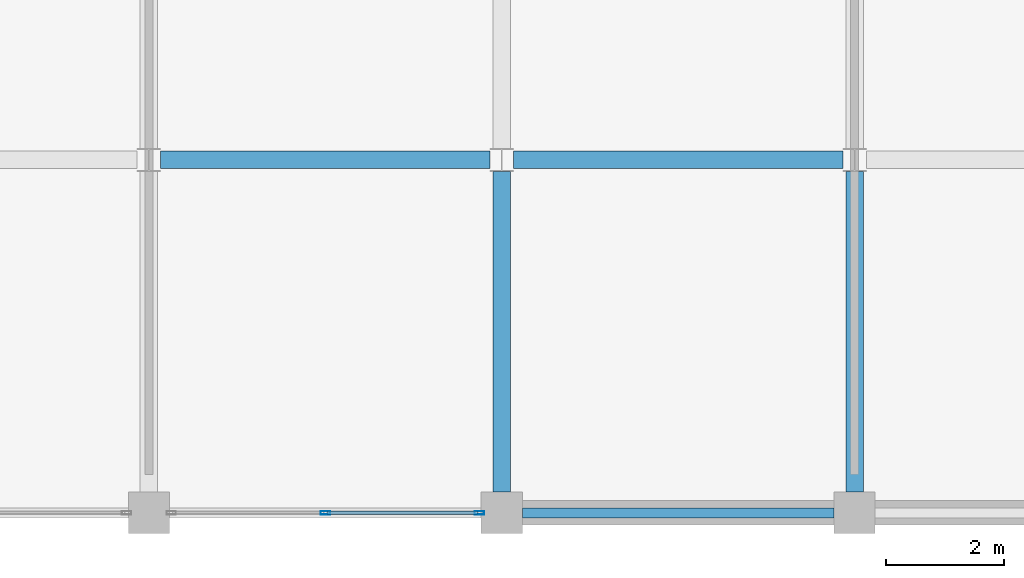
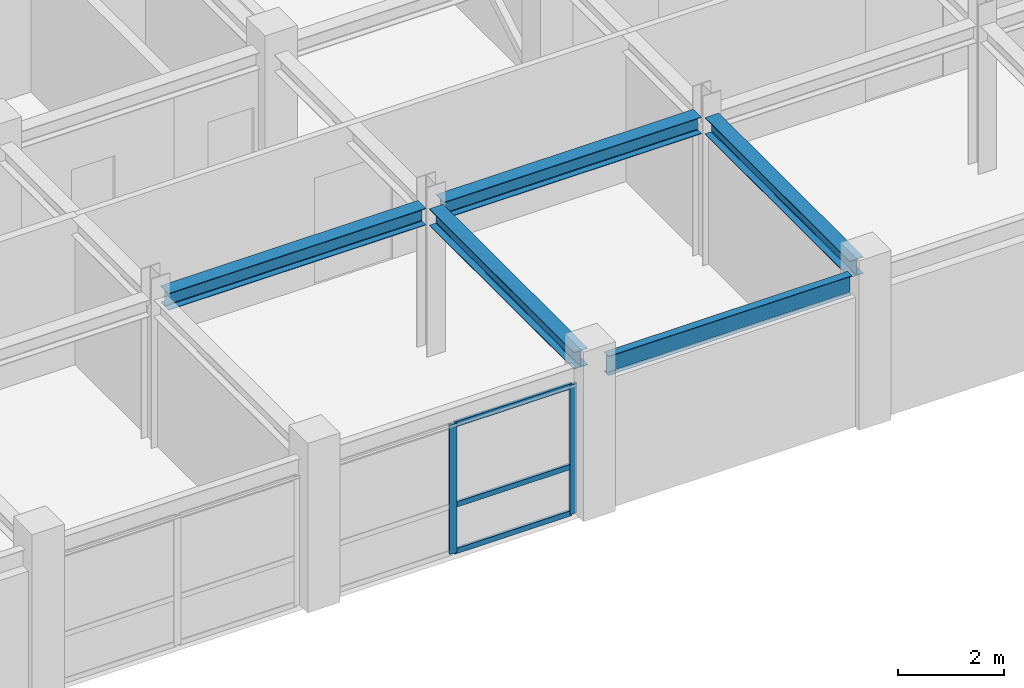
# One storey, part 6 of 12: 5 beams, 5 members, 1 element without a shape of its own.
"""IFC4 building model written with IfcOpenShell, lengths in metres."""

from ifc_helpers import new_model, si_unit, direction, frame, origin, origin_2d, place, context, subcontext, project, spatial, hollow_rectangle, i_section, extrude, material, layer, layer_set, material_profile, profile_set, type_object, element, aggregate, save


model = new_model("IFC4")

# Units and contexts
model_context = context("Model", 3, precision=1e-05, world=origin(), true_north=direction((0.0, 1.0)))
body_context = subcontext(model_context, "Body", "Model", "MODEL_VIEW")
ifc_project = project(units=[si_unit("LENGTHUNIT", "METRE"), si_unit("AREAUNIT", "SQUARE_METRE"), si_unit("VOLUMEUNIT", "CUBIC_METRE"), si_unit("PLANEANGLEUNIT", "RADIAN"), si_unit("MASSUNIT", "GRAM", prefix="KILO")], contexts=[model_context])

# Site, building, storey
site_placement = place(None, origin())
site = spatial("IfcSite", under=ifc_project, at=site_placement, CompositionType="ELEMENT")
building_placement = place(site_placement, origin())
building = spatial("IfcBuilding", under=site, at=building_placement, Name="Zlatovratsky Civic Hall", CompositionType="ELEMENT")
storey_placement = place(building_placement, frame((0.0, 0.0, 32.699951171875)))
storey = spatial("IfcBuildingStorey", under=building, at=storey_placement, Name="L08", CompositionType="ELEMENT", Elevation=32.699951171875)

# Beams
ifc_material_1 = material(Name="Steel S355", Category="steel")
ifc_material_profile_1 = material_profile(ifc_material_1, i_section(OverallWidth=0.169921875, OverallDepth=0.446044921875, WebThickness=0.007568359375, FlangeThickness=0.010986328125, FilletRadius=0.01611328125, at=origin_2d()), Name="45B1")
ifc_profile_set_1 = profile_set([ifc_material_profile_1], Name="Steel S355")
beam_type_1 = type_object("IfcBeamType", Name="Beam_Spandrel_45B1", PredefinedType="SPANDREL", material=ifc_profile_set_1)
beam_placement = place(storey_placement, frame((90.35009765625, 72.0, 3.177001953125), z_axis=(1.0, 0.0, 0.0), x_axis=(0.0, 1.0, 0.0)))
element("IfcBeam", 1, at=beam_placement, inside=storey, type_object=beam_type_1, Name="BM-4387", PredefinedType="SPANDREL", context=body_context, shape_type="SweptSolid", body=[
    extrude(i_section(OverallWidth=0.169921875, OverallDepth=0.446044921875, WebThickness=0.007568359375, FlangeThickness=0.010986328125, FilletRadius=0.01611328125, at=origin_2d()), origin(), (0.0, 0.0, 1.0), 5.2998046875),
])
ifc_material_profile_2 = material_profile(ifc_material_1, i_section(OverallWidth=0.300048828125, OverallDepth=0.387939453125, WebThickness=0.009521484375, FlangeThickness=0.013916015625, FilletRadius=0.02197265625, at=origin_2d()), Name="40Sh1")
ifc_profile_set_2 = profile_set([ifc_material_profile_2], Name="Steel S355")
beam_type_2 = type_object("IfcBeamType", Name="Beam_TowerMid_40Sh1", PredefinedType="BEAM", material=ifc_profile_set_2)
for number, where, z_axis, x_axis, name in (
    (2, (84.198974609375, 78.0, 3.2060546875), (1.0, 0.0, 0.0), (0.0, 1.0, 0.0), "BM-4396"),
    (3, (90.198974609375, 78.0, 3.2060546875), (1.0, 0.0, 0.0), (0.0, 1.0, 0.0), "BM-4397"),
):
    element("IfcBeam", number, at=place(storey_placement, frame(where, z_axis=z_axis, x_axis=x_axis)), inside=storey, type_object=beam_type_2, Name=name, PredefinedType="BEAM", context=body_context, shape_type="SweptSolid", body=[
        extrude(i_section(OverallWidth=0.300048828125, OverallDepth=0.387939453125, WebThickness=0.009521484375, FlangeThickness=0.013916015625, FilletRadius=0.02197265625, at=origin_2d()), origin(), (0.0, 0.0, 1.0), 5.60205078125),
    ])
for number, where, z_axis, x_axis, name in (
    (4, (90.0, 72.35009765625, 3.2060546875), (0.0, 1.0, 0.0), (-1.0, 0.0, 0.0), "BM-4485"),
    (5, (96.0, 72.35009765625, 3.2060546875), (0.0, 1.0, 0.0), (-1.0, 0.0, 0.0), "BM-4491"),
):
    element("IfcBeam", number, at=place(storey_placement, frame(where, z_axis=z_axis, x_axis=x_axis)), inside=storey, type_object=beam_type_2, Name=name, PredefinedType="BEAM", context=body_context, shape_type="SweptSolid", body=[
        extrude(i_section(OverallWidth=0.300048828125, OverallDepth=0.387939453125, WebThickness=0.009521484375, FlangeThickness=0.013916015625, FilletRadius=0.02197265625, at=origin_2d()), origin(), (0.0, 0.0, 1.0), 5.452880859375),
    ])

# Curtain wall, members
ifc_material_2 = material(Name="Anodised bronze aluminium", Category="aluminium")
ifc_layer = layer(ifc_material_2, 0.159912109375)
ifc_layer_set = layer_set([ifc_layer], Name="Anodised bronze aluminium")
curtain_wall_type = type_object("IfcCurtainWallType", Name="CurtainWall_Bronze_5300x2980_22", PredefinedType="NOTDEFINED", material=ifc_layer_set)
curtain_wall_placement = place(storey_placement, origin())
curtain_wall = element("IfcCurtainWall", 6, at=curtain_wall_placement, inside=storey, type_object=curtain_wall_type, Name="CW-142", PredefinedType="NOTDEFINED")
ifc_material_profile_3 = material_profile(ifc_material_2, hollow_rectangle(XDim=0.06005859375, YDim=0.159912109375, WallThickness=0.00390625, at=origin_2d()), Name="ALU 60x160x4")
ifc_profile_set_3 = profile_set([ifc_material_profile_3], Name="Anodised bronze aluminium")
member_type_1 = type_object("IfcMemberType", Name="CW_Mullion_60x160", PredefinedType="MULLION", material=ifc_profile_set_3)
member_1_placement = place(storey_placement, frame((87.0, 72.0, 0.0), z_axis=(0.0, 0.0, 1.0), x_axis=(0.0, 1.0, 0.0)))
member_1 = element("IfcMember", 7, at=member_1_placement, type_object=member_type_1, Name="CW-22 mullion 2", PredefinedType="MULLION", context=body_context, shape_type="SweptSolid", body=[
    extrude(hollow_rectangle(XDim=0.06005859375, YDim=0.159912109375, WallThickness=0.00390625, at=origin_2d()), origin(), (0.0, 0.0, 1.0), 2.97998046875),
])
member_2_placement = place(storey_placement, frame((89.6201171875, 72.0, 0.0), z_axis=(0.0, 0.0, 1.0), x_axis=(0.0, 1.0, 0.0)))
member_2 = element("IfcMember", 8, at=member_2_placement, type_object=member_type_1, Name="CW-22 mullion 3", PredefinedType="MULLION", context=body_context, shape_type="SweptSolid", body=[
    extrude(hollow_rectangle(XDim=0.06005859375, YDim=0.159912109375, WallThickness=0.00390625, at=origin_2d()), origin(), (0.0, 0.0, 1.0), 2.97998046875),
])
ifc_material_profile_4 = material_profile(ifc_material_2, hollow_rectangle(XDim=0.06005859375, YDim=0.1201171875, WallThickness=0.00390625, at=origin_2d()), Name="ALU 60x120x4")
ifc_profile_set_4 = profile_set([ifc_material_profile_4], Name="Anodised bronze aluminium")
member_type_2 = type_object("IfcMemberType", Name="CW_Transom_60x120", PredefinedType="USERDEFINED", material=ifc_profile_set_4)
member_3_placement = place(storey_placement, frame((87.030029296875, 72.0, 0.030029296875), z_axis=(1.0, 0.0, 0.0), x_axis=(0.0, 1.0, 0.0)))
member_3 = element("IfcMember", 9, at=member_3_placement, type_object=member_type_2, Name="CW-22 transom 2.1", ObjectType="TRANSOM", PredefinedType="USERDEFINED", context=body_context, shape_type="SweptSolid", body=[
    extrude(hollow_rectangle(XDim=0.06005859375, YDim=0.1201171875, WallThickness=0.00390625, at=origin_2d()), origin(), (0.0, 0.0, 1.0), 2.56005859375),
])
member_4_placement = place(storey_placement, frame((87.030029296875, 72.0, 1.10009765625), z_axis=(1.0, 0.0, 0.0), x_axis=(0.0, 1.0, 0.0)))
member_4 = element("IfcMember", 10, at=member_4_placement, type_object=member_type_2, Name="CW-22 transom 2.2", ObjectType="TRANSOM", PredefinedType="USERDEFINED", context=body_context, shape_type="SweptSolid", body=[
    extrude(hollow_rectangle(XDim=0.06005859375, YDim=0.1201171875, WallThickness=0.00390625, at=origin_2d()), origin(), (0.0, 0.0, 1.0), 2.56005859375),
])
member_5_placement = place(storey_placement, frame((87.030029296875, 72.0, 2.949951171875), z_axis=(1.0, 0.0, 0.0), x_axis=(0.0, 1.0, 0.0)))
member_5 = element("IfcMember", 11, at=member_5_placement, type_object=member_type_2, Name="CW-22 transom 2.3", ObjectType="TRANSOM", PredefinedType="USERDEFINED", context=body_context, shape_type="SweptSolid", body=[
    extrude(hollow_rectangle(XDim=0.06005859375, YDim=0.1201171875, WallThickness=0.00390625, at=origin_2d()), origin(), (0.0, 0.0, 1.0), 2.56005859375),
])
aggregate(curtain_wall, [member_1, member_2, member_3, member_4, member_5])

save(model, "model.ifc")
